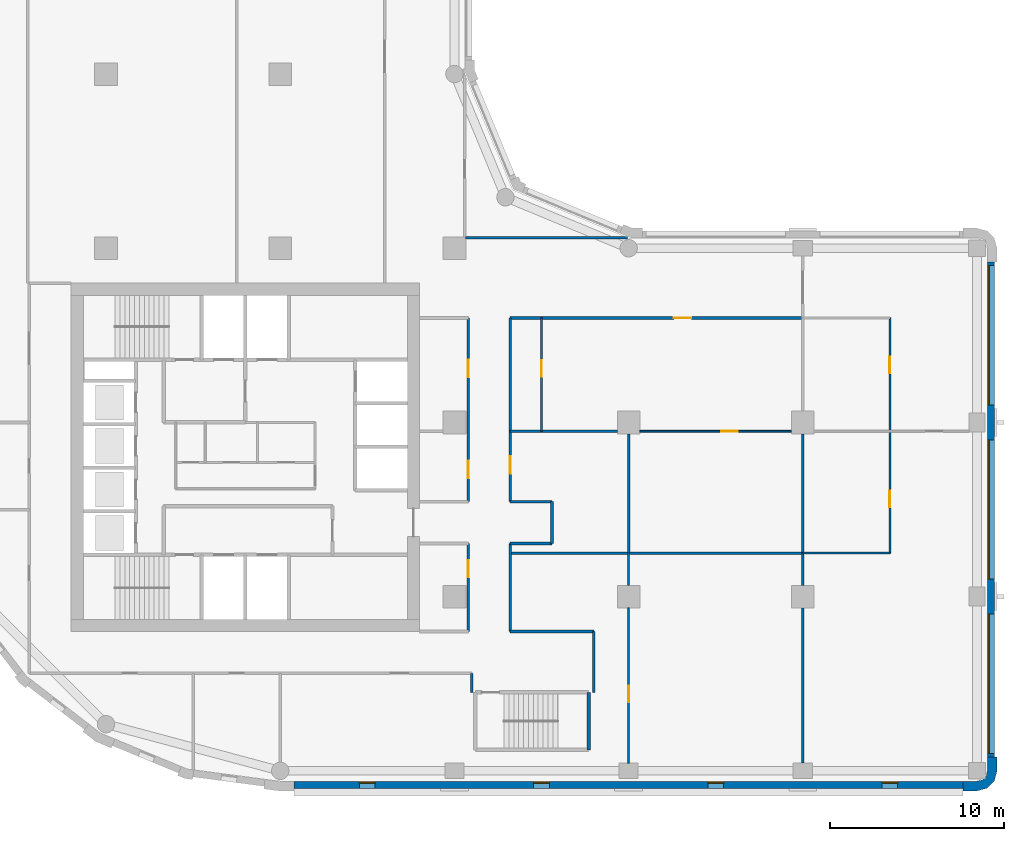
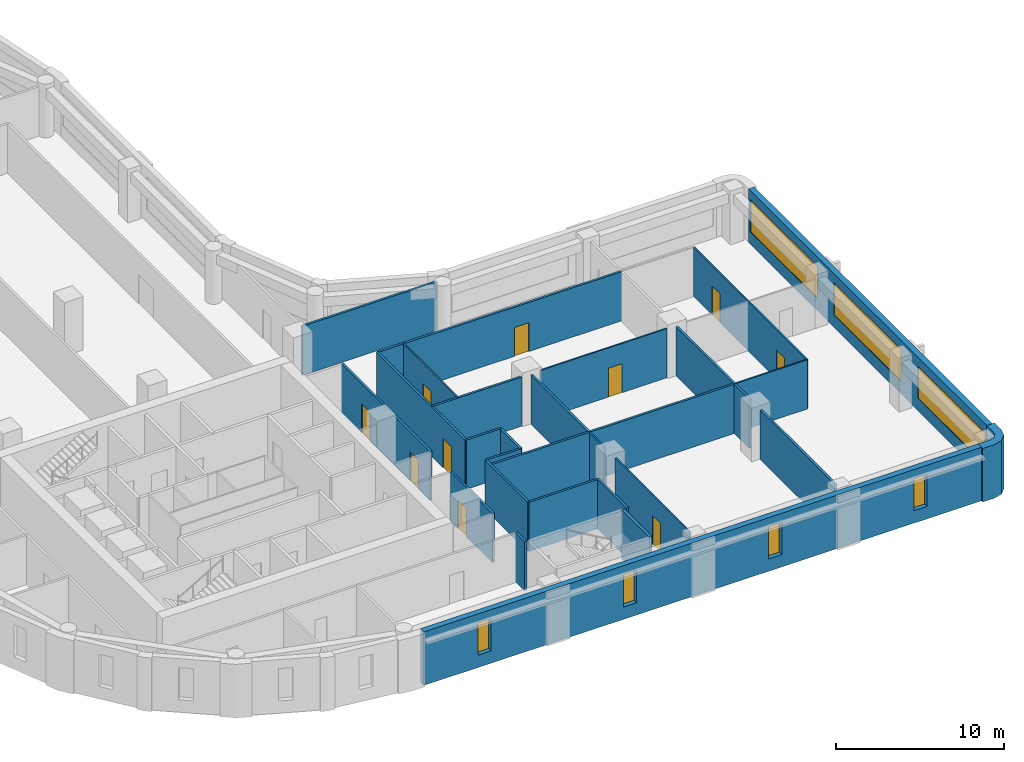
# One storey, part 4 of 9: 27 walls, 10 doors, 7 windows, 17 openings.
"""IFC4 building model written with IfcOpenShell, lengths in metres."""

import ifcopenshell
import ifcopenshell.guid

model = None  # the IFC model being written
_history = None  # IfcOwnerHistory: only IFC2X3 demands one
_inside = {}  # id of a spatial element -> (the spatial element, [elements in it])
_under = {}  # id of a project, library or spatial element -> (it, [spatial elements below it])
_declared = {}  # id of a project -> (the project, [libraries it declares])
_typed = {}  # id of a type object -> (the type object, [elements of that type])
_made_of = {}  # id of a material, layer set ... -> (it, [elements and type objects made of it])


def new_model(schema):
    """Start an empty IFC model of exactly this schema.

    Asked for "IFC4X3", IfcOpenShell would pick the latest addendum, in which some entities
    have other attributes; the version numbers below select the first issue.
    IFC2X3 requires an IfcOwnerHistory on every rooted entity: one is made here for all.
    """
    global model, _history
    if schema == "IFC4X3":
        model = ifcopenshell.file(schema_version=(4, 3, 0, 0))
    else:
        model = ifcopenshell.file(schema=schema)
    _inside.clear()
    _under.clear()
    _declared.clear()
    _typed.clear()
    _made_of.clear()
    _history = None
    if model.schema == "IFC2X3":
        org = make("IfcOrganization", Name="unknown")
        user = make(
            "IfcPersonAndOrganization",
            ThePerson=make("IfcPerson", FamilyName="unknown"),
            TheOrganization=org,
        )
        app = make(
            "IfcApplication",
            ApplicationDeveloper=org,
            Version="unknown",
            ApplicationFullName="unknown",
            ApplicationIdentifier="unknown",
        )
        _history = make(
            "IfcOwnerHistory",
            OwningUser=user,
            OwningApplication=app,
            ChangeAction="ADDED",
            CreationDate=0,
        )
    return model


def make(cls, **values):
    """One entity of the class cls with the attributes given. An attribute that is None is left unset."""
    return model.create_entity(
        cls, **{name: value for name, value in values.items() if value is not None}
    )


def rooted(cls, **values):
    """An entity with a GlobalId (a new one), such as an element, a storey or a relation."""
    return make(cls, GlobalId=ifcopenshell.guid.new(), OwnerHistory=_history, **values)


def si_unit(unit_type, name, prefix=None):
    """IfcSIUnit, for example si_unit("LENGTHUNIT", "METRE", prefix="MILLI")."""
    return make("IfcSIUnit", UnitType=unit_type, Prefix=prefix, Name=name)


def assignment(units):
    """IfcUnitAssignment: the units of a project."""
    return None if units is None else make("IfcUnitAssignment", Units=units)


def point(xyz):
    """IfcCartesianPoint."""
    return None if xyz is None else make("IfcCartesianPoint", Coordinates=xyz)


def direction(xyz):
    """IfcDirection."""
    return None if xyz is None else make("IfcDirection", DirectionRatios=xyz)


def frame(location, z_axis=None, x_axis=None):
    """IfcAxis2Placement3D, a coordinate frame: its origin and axes. An axis left out is left unset."""
    return make(
        "IfcAxis2Placement3D",
        Location=point(location),
        Axis=direction(z_axis),
        RefDirection=direction(x_axis),
    )


def frame_2d(location, x_axis=None):
    """IfcAxis2Placement2D, a coordinate frame in the plane: its origin and x axis."""
    return make(
        "IfcAxis2Placement2D", Location=point(location), RefDirection=direction(x_axis)
    )


def origin():
    """The frame at (0, 0, 0) with its axes left unset."""
    return frame((0.0, 0.0, 0.0))


def place(relative_to, where):
    """IfcLocalPlacement: puts the frame where relative to a parent placement (None: the world)."""
    return make(
        "IfcLocalPlacement", PlacementRelTo=relative_to, RelativePlacement=where
    )


def context(
    kind, dimensions, precision=None, world=None, true_north=None, identifier=None
):
    """IfcGeometricRepresentationContext, for example the 3D "Model" context."""
    return make(
        "IfcGeometricRepresentationContext",
        ContextIdentifier=identifier,
        ContextType=kind,
        CoordinateSpaceDimension=dimensions,
        Precision=precision,
        WorldCoordinateSystem=world,
        TrueNorth=true_north,
    )


def subcontext(parent, identifier, kind, view, scale=None):
    """IfcGeometricRepresentationSubContext, for example "Body" below "Model"."""
    return make(
        "IfcGeometricRepresentationSubContext",
        ContextIdentifier=identifier,
        ContextType=kind,
        ParentContext=parent,
        TargetScale=scale,
        TargetView=view,
    )


def project(units=None, contexts=None):
    """IfcProject with its units and contexts."""
    return rooted(
        "IfcProject",
        Name="project",
        RepresentationContexts=contexts,
        UnitsInContext=assignment(units),
    )


def spatial(cls, under=None, at=None, **own):
    """A site, building, storey or space (cls), placed at a placement, below another one or the project."""
    s = rooted(cls, ObjectPlacement=at, **own)
    if under is not None:
        _under.setdefault(under.id(), (under, []))[1].append(s)
    return s


def polyline(points):
    """IfcPolyline through the points."""
    return make("IfcPolyline", Points=[point(p) for p in points])


def profile(cls, at=None, kind="AREA", **sizes):
    """A parametric profile (cls). Its sizes go by their IFC names, for example OverallWidth=200.0."""
    return make(cls, ProfileType=kind, Position=at, **sizes)


def rectangle(**sizes):
    """IfcRectangleProfileDef."""
    return profile("IfcRectangleProfileDef", **sizes)


def outline(outer, holes=None, kind="AREA"):
    """IfcArbitraryClosedProfileDef: a profile drawn as a closed curve; with holes, ...WithVoids."""
    if holes is None:
        return make("IfcArbitraryClosedProfileDef", ProfileType=kind, OuterCurve=outer)
    return make(
        "IfcArbitraryProfileDefWithVoids",
        ProfileType=kind,
        OuterCurve=outer,
        InnerCurves=holes,
    )


def extrude(swept, where, along, depth):
    """IfcExtrudedAreaSolid: the profile swept, set in the frame where, extruded along a direction by depth."""
    return make(
        "IfcExtrudedAreaSolid",
        SweptArea=swept,
        Position=where,
        ExtrudedDirection=direction(along),
        Depth=depth,
    )


def shape(context_of_items, identifier, shape_type, items):
    """IfcShapeRepresentation: the items that make up one representation, for example the "Body"."""
    return make(
        "IfcShapeRepresentation",
        ContextOfItems=context_of_items,
        RepresentationIdentifier=identifier,
        RepresentationType=shape_type,
        Items=items,
    )


def material(Name=None, Category=None):
    """IfcMaterial."""
    return make("IfcMaterial", Name=Name, Category=Category)


def layer(
    of_material, thickness, ventilated=None, Name=None, Category=None, Priority=None
):
    """IfcMaterialLayer: one layer of a wall or slab, of a material (None: an air gap)."""
    return make(
        "IfcMaterialLayer",
        Material=of_material,
        LayerThickness=thickness,
        IsVentilated=ventilated,
        Name=Name,
        Category=Category,
        Priority=Priority,
    )


def layer_set(layers, Name=None):
    """IfcMaterialLayerSet."""
    return make("IfcMaterialLayerSet", MaterialLayers=layers, LayerSetName=Name)


def made_of(thing, what):
    """Note that an element or type object is made of a material, layer set ...; save() writes the relation."""
    if what is not None:
        _made_of.setdefault(what.id(), (what, []))[1].append(thing)
    return thing


def type_object(cls, material=None, **own):
    """A type object (cls), such as IfcWallType, which elements share."""
    return made_of(rooted(cls, **own), material)


def element(
    cls,
    number,
    at=None,
    inside=None,
    cuts=None,
    type_object=None,
    material=None,
    context=None,
    identifier="Body",
    shape_type=None,
    held_by="IfcProductDefinitionShape",
    body=None,
    shapes=None,
    **own,
):
    """One element of the class cls, such as IfcWall. Its Tag is "e" and its number.

    at: its placement. inside: the storey or other place that contains it. cuts: it is an
    opening in that element (IfcRelVoidsElement). A single representation is given by context,
    identifier, shape_type and body (its items); several are given by shapes. held_by: the class
    of the entity that holds the representations. save() writes the other relations.
    """
    e = rooted(cls, Tag="e%d" % number, ObjectPlacement=at, **own)
    if body is not None:
        shapes = [shape(context, identifier, shape_type, body)]
    if shapes is not None:
        e.Representation = make(held_by, Representations=shapes)
    if inside is not None:
        _inside.setdefault(inside.id(), (inside, []))[1].append(e)
    if cuts is not None:
        rooted(
            "IfcRelVoidsElement", RelatingBuildingElement=cuts, RelatedOpeningElement=e
        )
    if type_object is not None:
        _typed.setdefault(type_object.id(), (type_object, []))[1].append(e)
    return made_of(e, material)


def fill(opening, filler):
    """IfcRelFillsElement: the door or window that sits in an opening."""
    return rooted(
        "IfcRelFillsElement",
        RelatingOpeningElement=opening,
        RelatedBuildingElement=filler,
    )


def aggregate(whole, parts):
    """IfcRelAggregates: a whole, such as a stair, and the parts it consists of."""
    return rooted("IfcRelAggregates", RelatingObject=whole, RelatedObjects=parts)


def save(model, path):
    """Write the relations noted so far, then the file.

    IfcRelAggregates (storeys below a building ...), IfcRelContainedInSpatialStructure (elements
    in a storey), IfcRelDefinesByType, IfcRelAssociatesMaterial and IfcRelDeclares: one each for
    every whole, place, type object, material and project.
    """
    for whole, parts in _under.values():
        aggregate(whole, parts)
    for where, things in _inside.values():
        rooted(
            "IfcRelContainedInSpatialStructure",
            RelatedElements=things,
            RelatingStructure=where,
        )
    for kind, things in _typed.values():
        rooted("IfcRelDefinesByType", RelatedObjects=things, RelatingType=kind)
    for what, things in _made_of.values():
        rooted("IfcRelAssociatesMaterial", RelatedObjects=things, RelatingMaterial=what)
    for by, libraries in _declared.values():
        rooted("IfcRelDeclares", RelatingContext=by, RelatedDefinitions=libraries)
    model.write(path)


model = new_model("IFC4")

# Units and contexts
model_context = context("Model", 3, precision=1e-05, world=origin(), true_north=direction((0.0, 1.0)))
body_context = subcontext(model_context, "Body", "Model", "MODEL_VIEW")
ifc_project = project(units=[si_unit("LENGTHUNIT", "METRE"), si_unit("AREAUNIT", "SQUARE_METRE"), si_unit("VOLUMEUNIT", "CUBIC_METRE"), si_unit("PLANEANGLEUNIT", "RADIAN"), si_unit("MASSUNIT", "GRAM", prefix="KILO")], contexts=[model_context])

# Site, building, storey
site_placement = place(None, origin())
site = spatial("IfcSite", under=ifc_project, at=site_placement, CompositionType="ELEMENT")
building_placement = place(site_placement, origin())
building = spatial("IfcBuilding", under=site, at=building_placement, Name="Qaws Garden Tower", CompositionType="ELEMENT")
storey_placement = place(building_placement, frame((0.0, 0.0, 225.300048828125)))
storey = spatial("IfcBuildingStorey", under=building, at=storey_placement, Name="L55", CompositionType="ELEMENT", Elevation=225.300048828125)

# Wall
ifc_material_1 = material(Name="Clay facing brick masonry", Category="masonry")
ifc_layer_1 = layer(ifc_material_1, 0.550048828125)
ifc_layer_set_1 = layer_set([ifc_layer_1], Name="Clay facing brick masonry")
wall_type_1 = type_object("IfcWallType", Name="Brick corner pier 550 x 2400", PredefinedType="SOLIDWALL", material=ifc_layer_set_1)
wall_1_placement = place(storey_placement, origin())
element("IfcWall", 1, at=wall_1_placement, inside=storey, type_object=wall_type_1, Name="E-L55-pier-04", PredefinedType="SOLIDWALL", context=body_context, shape_type="SweptSolid", body=[
    extrude(outline(polyline([(59.199951171875, -1.0), (59.199951171875, -1.14990234375), (60.0, -1.14990234375), (60.574951171875, -0.995849609375), (60.995849609375, -0.574951171875), (61.14990234375, 0.0), (61.14990234375, 0.800048828125), (61.0, 0.800048828125), (60.60009765625, 0.800048828125), (60.60009765625, 0.0), (60.51953125, -0.300048828125), (60.300048828125, -0.51953125), (60.0, -0.60009765625), (59.199951171875, -0.60009765625), (59.199951171875, -1.0)])), origin(), (0.0, 0.0, 1.0), 3.89990234375),
])

# Wall, openings, windows
ifc_material_2 = material(Name="Clay facing brick masonry", Category="masonry")
ifc_layer_2 = layer(ifc_material_2, 0.39990234375)
ifc_layer_set_2 = layer_set([ifc_layer_2], Name="Clay facing brick masonry")
wall_type_2 = type_object("IfcWallType", Name="Brick infill wall 400", PredefinedType="SOLIDWALL", material=ifc_layer_set_2)
wall_2_placement = place(storey_placement, frame((20.800048828125, -0.800048828125, 0.0), z_axis=(0.0, 0.0, 1.0), x_axis=(1.0, 0.0, 0.0)))
wall_2 = element("IfcWall", 2, at=wall_2_placement, inside=storey, type_object=wall_type_2, Name="E-L55-infill-00", PredefinedType="SOLIDWALL", context=body_context, shape_type="SweptSolid", body=[
    extrude(rectangle(XDim=38.39990234375, YDim=0.39990234375, at=frame_2d((19.199951171875, 0.0))), origin(), (0.0, 0.0, 1.0), 3.89990234375),
])
opening_1_placement = place(wall_2_placement, frame((3.75, 0.0, 0.89990234375)))
opening_1 = element("IfcOpeningElement", 3, at=opening_1_placement, cuts=wall_2, Name="Opening W09", PredefinedType="OPENING", context=body_context, shape_type="SweptSolid", body=[
    extrude(rectangle(XDim=0.89990234375, YDim=2.35009765625, at=frame_2d((0.449951171875, 1.175048828125))), frame((0.0, 0.2099609375, 0.0), z_axis=(0.0, -1.0, 0.0), x_axis=(1.0, 0.0, 0.0)), (0.0, 0.0, 1.0), 0.419921875),
])
opening_2_placement = place(wall_2_placement, frame((13.75, 0.0, 0.89990234375)))
opening_2 = element("IfcOpeningElement", 4, at=opening_2_placement, cuts=wall_2, Name="Opening W09", PredefinedType="OPENING", context=body_context, shape_type="SweptSolid", body=[
    extrude(rectangle(XDim=0.89990234375, YDim=2.35009765625, at=frame_2d((0.449951171875, 1.175048828125))), frame((0.0, 0.2099609375, 0.0), z_axis=(0.0, -1.0, 0.0), x_axis=(1.0, 0.0, 0.0)), (0.0, 0.0, 1.0), 0.419921875),
])
opening_3_placement = place(wall_2_placement, frame((23.75, 0.0, 0.89990234375)))
opening_3 = element("IfcOpeningElement", 5, at=opening_3_placement, cuts=wall_2, Name="Opening W09", PredefinedType="OPENING", context=body_context, shape_type="SweptSolid", body=[
    extrude(rectangle(XDim=0.89990234375, YDim=2.35009765625, at=frame_2d((0.449951171875, 1.175048828125))), frame((0.0, 0.2099609375, 0.0), z_axis=(0.0, -1.0, 0.0), x_axis=(1.0, 0.0, 0.0)), (0.0, 0.0, 1.0), 0.419921875),
])
opening_4_placement = place(wall_2_placement, frame((33.75, 0.0, 0.89990234375)))
opening_4 = element("IfcOpeningElement", 6, at=opening_4_placement, cuts=wall_2, Name="Opening W09", PredefinedType="OPENING", context=body_context, shape_type="SweptSolid", body=[
    extrude(rectangle(XDim=0.89990234375, YDim=2.35009765625, at=frame_2d((0.449951171875, 1.175048828125))), frame((0.0, 0.2099609375, 0.0), z_axis=(0.0, -1.0, 0.0), x_axis=(1.0, 0.0, 0.0)), (0.0, 0.0, 1.0), 0.419921875),
])
ifc_material_3 = material(Name="Aluminium framed window, clear glazing", Category="aluminium")
window_type_1 = type_object("IfcWindowType", Name="Slit window 900 x 2350", PartitioningType="SINGLE_PANEL", PredefinedType="WINDOW", material=ifc_material_3)
window_1_placement = place(opening_1_placement, origin())
window_1 = element("IfcWindow", 7, at=window_1_placement, inside=storey, type_object=window_type_1, Name="E-L55-window-00-0", OverallHeight=2.35009765625, OverallWidth=0.89990234375, PartitioningType="SINGLE_PANEL", PredefinedType="WINDOW", context=body_context, shape_type="SweptSolid", body=[
    extrude(rectangle(XDim=0.89990234375, YDim=2.35009765625, at=frame_2d((0.449951171875, 1.175048828125))), frame((0.0, 0.159912109375, 0.0), z_axis=(0.0, -1.0, 0.0), x_axis=(1.0, 0.0, 0.0)), (0.0, 0.0, 1.0), 0.06005859375),
])
fill(opening_1, window_1)
window_2_placement = place(opening_2_placement, origin())
window_2 = element("IfcWindow", 8, at=window_2_placement, inside=storey, type_object=window_type_1, Name="E-L55-window-01-0", OverallHeight=2.35009765625, OverallWidth=0.89990234375, PartitioningType="SINGLE_PANEL", PredefinedType="WINDOW", context=body_context, shape_type="SweptSolid", body=[
    extrude(rectangle(XDim=0.89990234375, YDim=2.35009765625, at=frame_2d((0.449951171875, 1.175048828125))), frame((0.0, 0.159912109375, 0.0), z_axis=(0.0, -1.0, 0.0), x_axis=(1.0, 0.0, 0.0)), (0.0, 0.0, 1.0), 0.06005859375),
])
fill(opening_2, window_2)
window_3_placement = place(opening_3_placement, origin())
window_3 = element("IfcWindow", 9, at=window_3_placement, inside=storey, type_object=window_type_1, Name="E-L55-window-02-0", OverallHeight=2.35009765625, OverallWidth=0.89990234375, PartitioningType="SINGLE_PANEL", PredefinedType="WINDOW", context=body_context, shape_type="SweptSolid", body=[
    extrude(rectangle(XDim=0.89990234375, YDim=2.35009765625, at=frame_2d((0.449951171875, 1.175048828125))), frame((0.0, 0.159912109375, 0.0), z_axis=(0.0, -1.0, 0.0), x_axis=(1.0, 0.0, 0.0)), (0.0, 0.0, 1.0), 0.06005859375),
])
fill(opening_3, window_3)
window_4_placement = place(opening_4_placement, origin())
window_4 = element("IfcWindow", 10, at=window_4_placement, inside=storey, type_object=window_type_1, Name="E-L55-window-03-0", OverallHeight=2.35009765625, OverallWidth=0.89990234375, PartitioningType="SINGLE_PANEL", PredefinedType="WINDOW", context=body_context, shape_type="SweptSolid", body=[
    extrude(rectangle(XDim=0.89990234375, YDim=2.35009765625, at=frame_2d((0.449951171875, 1.175048828125))), frame((0.0, 0.159912109375, 0.0), z_axis=(0.0, -1.0, 0.0), x_axis=(1.0, 0.0, 0.0)), (0.0, 0.0, 1.0), 0.06005859375),
])
fill(opening_4, window_4)

wall_3_placement = place(storey_placement, frame((60.800048828125, 0.800048828125, 0.0), z_axis=(0.0, 0.0, 1.0), x_axis=(0.0, 1.0, 0.0)))
wall_3 = element("IfcWall", 11, at=wall_3_placement, inside=storey, type_object=wall_type_2, Name="E-L55-infill-04", PredefinedType="SOLIDWALL", context=body_context, shape_type="SweptSolid", body=[
    extrude(rectangle(XDim=28.39990234375, YDim=0.39990234375, at=frame_2d((14.199951171875, 0.0))), origin(), (0.0, 0.0, 1.0), 3.89990234375),
])
opening_5_placement = place(wall_3_placement, frame((0.199951171875, 0.0, 0.89990234375)))
opening_5 = element("IfcOpeningElement", 12, at=opening_5_placement, cuts=wall_3, Name="Opening W01", PredefinedType="OPENING", context=body_context, shape_type="SweptSolid", body=[
    extrude(rectangle(XDim=8.0, YDim=2.35009765625, at=frame_2d((4.0, 1.175048828125))), frame((0.0, 0.2099609375, 0.0), z_axis=(0.0, -1.0, 0.0), x_axis=(1.0, 0.0, 0.0)), (0.0, 0.0, 1.0), 0.419921875),
])
opening_6_placement = place(wall_3_placement, frame((10.199951171875, 0.0, 0.89990234375)))
opening_6 = element("IfcOpeningElement", 13, at=opening_6_placement, cuts=wall_3, Name="Opening W01", PredefinedType="OPENING", context=body_context, shape_type="SweptSolid", body=[
    extrude(rectangle(XDim=8.0, YDim=2.35009765625, at=frame_2d((4.0, 1.175048828125))), frame((0.0, 0.2099609375, 0.0), z_axis=(0.0, -1.0, 0.0), x_axis=(1.0, 0.0, 0.0)), (0.0, 0.0, 1.0), 0.419921875),
])
opening_7_placement = place(wall_3_placement, frame((20.199951171875, 0.0, 0.89990234375)))
opening_7 = element("IfcOpeningElement", 14, at=opening_7_placement, cuts=wall_3, Name="Opening W01", PredefinedType="OPENING", context=body_context, shape_type="SweptSolid", body=[
    extrude(rectangle(XDim=8.0, YDim=2.35009765625, at=frame_2d((4.0, 1.175048828125))), frame((0.0, 0.2099609375, 0.0), z_axis=(0.0, -1.0, 0.0), x_axis=(1.0, 0.0, 0.0)), (0.0, 0.0, 1.0), 0.419921875),
])
ifc_material_4 = material(Name="Aluminium framed window, clear glazing", Category="aluminium")
window_type_2 = type_object("IfcWindowType", Name="Ribbon window 8000 x 2350", PartitioningType="DOUBLE_PANEL_VERTICAL", PredefinedType="WINDOW", material=ifc_material_4)
window_5_placement = place(opening_5_placement, origin())
window_5 = element("IfcWindow", 15, at=window_5_placement, inside=storey, type_object=window_type_2, Name="E-L55-window-04-0", OverallHeight=2.35009765625, OverallWidth=8.0, PartitioningType="SINGLE_PANEL", PredefinedType="WINDOW", context=body_context, shape_type="SweptSolid", body=[
    extrude(rectangle(XDim=8.0, YDim=2.35009765625, at=frame_2d((4.0, 1.175048828125))), frame((0.0, 0.159912109375, 0.0), z_axis=(0.0, -1.0, 0.0), x_axis=(1.0, 0.0, 0.0)), (0.0, 0.0, 1.0), 0.06005859375),
])
fill(opening_5, window_5)
window_6_placement = place(opening_6_placement, origin())
window_6 = element("IfcWindow", 16, at=window_6_placement, inside=storey, type_object=window_type_2, Name="E-L55-window-05-0", OverallHeight=2.35009765625, OverallWidth=8.0, PartitioningType="SINGLE_PANEL", PredefinedType="WINDOW", context=body_context, shape_type="SweptSolid", body=[
    extrude(rectangle(XDim=8.0, YDim=2.35009765625, at=frame_2d((4.0, 1.175048828125))), frame((0.0, 0.159912109375, 0.0), z_axis=(0.0, -1.0, 0.0), x_axis=(1.0, 0.0, 0.0)), (0.0, 0.0, 1.0), 0.06005859375),
])
fill(opening_6, window_6)
window_7_placement = place(opening_7_placement, origin())
window_7 = element("IfcWindow", 17, at=window_7_placement, inside=storey, type_object=window_type_2, Name="E-L55-window-06-0", OverallHeight=2.35009765625, OverallWidth=8.0, PartitioningType="SINGLE_PANEL", PredefinedType="WINDOW", context=body_context, shape_type="SweptSolid", body=[
    extrude(rectangle(XDim=8.0, YDim=2.35009765625, at=frame_2d((4.0, 1.175048828125))), frame((0.0, 0.159912109375, 0.0), z_axis=(0.0, -1.0, 0.0), x_axis=(1.0, 0.0, 0.0)), (0.0, 0.0, 1.0), 0.06005859375),
])
fill(opening_7, window_7)

# Wall
ifc_material_5 = material(Name="Concrete C70", Category="concrete")
ifc_layer_3 = layer(ifc_material_5, 0.199951171875)
ifc_layer_set_3 = layer_set([ifc_layer_3], Name="Concrete C70")
wall_type_3 = type_object("IfcWallType", Name="Core shaft wall 200 C70", PredefinedType="SHEAR", material=ifc_layer_set_3)
wall_4_placement = place(storey_placement, frame((37.699951171875, 1.199951171875, 0.0), z_axis=(0.0, 0.0, 1.0), x_axis=(0.0, 1.0, 0.0)))
element("IfcWall", 18, at=wall_4_placement, inside=storey, type_object=wall_type_3, Name="Shaft wall", PredefinedType="SHEAR", context=body_context, shape_type="SweptSolid", body=[
    extrude(rectangle(XDim=3.300048828125, YDim=0.199951171875, at=frame_2d((1.64990234375, 0.0))), origin(), (0.0, 0.0, 1.0), 3.579833984375),
])

# Wall, opening, door
ifc_material_6 = material(Name="Gypsum board partition")
ifc_layer_4 = layer(ifc_material_6, 0.10009765625)
ifc_layer_set_4 = layer_set([ifc_layer_4], Name="Gypsum board partition")
wall_type_4 = type_object("IfcWallType", Name="PARTITION 100", PredefinedType="PARTITIONING", material=ifc_layer_set_4)
wall_5_placement = place(storey_placement, frame((35.0, 19.5, 0.0), z_axis=(0.0, 0.0, 1.0), x_axis=(0.0, 1.0, 0.0)))
wall_5 = element("IfcWall", 19, at=wall_5_placement, inside=storey, type_object=wall_type_4, Name="O-L55-wall-001", PredefinedType="PARTITIONING", context=body_context, shape_type="SweptSolid", body=[
    extrude(rectangle(XDim=6.5, YDim=0.10009765625, at=frame_2d((3.25, 0.0))), origin(), (0.0, 0.0, 1.0), 3.579833984375),
])
opening_8_placement = place(wall_5_placement, frame((3.125, 0.0, 0.0)))
opening_8 = element("IfcOpeningElement", 20, at=opening_8_placement, cuts=wall_5, Name="Opening B921", PredefinedType="OPENING", context=body_context, shape_type="SweptSolid", body=[
    extrude(rectangle(XDim=0.949951171875, YDim=2.10009765625, at=frame_2d((0.47509765625, 1.050048828125))), frame((0.0, 0.06005859375, 0.0), z_axis=(0.0, -1.0, 0.0), x_axis=(1.0, 0.0, 0.0)), (0.0, 0.0, 1.0), 0.1201171875),
])
ifc_material_7 = material(Name="Timber and glass door leaf", Category="wood")
door_type_1 = type_object("IfcDoorType", Name="GLAZED DOOR 950 X 2100", OperationType="SINGLE_SWING_LEFT", PredefinedType="DOOR", material=ifc_material_7)
door_1_placement = place(opening_8_placement, origin())
door_1 = element("IfcDoor", 21, at=door_1_placement, inside=storey, type_object=door_type_1, Name="O-L55-door-021", OperationType="SINGLE_SWING_RIGHT", OverallHeight=2.10009765625, OverallWidth=0.949951171875, PredefinedType="DOOR", context=body_context, shape_type="SweptSolid", body=[
    extrude(rectangle(XDim=0.949951171875, YDim=2.10009765625, at=frame_2d((0.47509765625, 1.050048828125))), frame((0.0, 0.02490234375, 0.0), z_axis=(0.0, -1.0, 0.0), x_axis=(1.0, 0.0, 0.0)), (0.0, 0.0, 1.0), 0.050048828125),
])
fill(opening_8, door_1)

wall_6_placement = place(storey_placement, frame((40.0, 0.449951171875, 0.0), z_axis=(0.0, 0.0, 1.0), x_axis=(0.0, 1.0, 0.0)))
wall_6 = element("IfcWall", 22, at=wall_6_placement, inside=storey, type_object=wall_type_4, Name="O-L55-wall-002", PredefinedType="PARTITIONING", context=body_context, shape_type="SweptSolid", body=[
    extrude(rectangle(XDim=8.900146484375, YDim=0.10009765625, at=frame_2d((4.4501953125, 0.0))), origin(), (0.0, 0.0, 1.0), 3.579833984375),
])
opening_9_placement = place(wall_6_placement, frame((3.47509765625, 0.0, 0.0)))
opening_9 = element("IfcOpeningElement", 23, at=opening_9_placement, cuts=wall_6, Name="Opening B919", PredefinedType="OPENING", context=body_context, shape_type="SweptSolid", body=[
    extrude(rectangle(XDim=0.949951171875, YDim=2.10009765625, at=frame_2d((0.47509765625, 1.050048828125))), frame((0.0, 0.06005859375, 0.0), z_axis=(0.0, -1.0, 0.0), x_axis=(1.0, 0.0, 0.0)), (0.0, 0.0, 1.0), 0.1201171875),
])
door_2_placement = place(opening_9_placement, origin())
door_2 = element("IfcDoor", 24, at=door_2_placement, inside=storey, type_object=door_type_1, Name="O-L55-door-019", OperationType="SINGLE_SWING_RIGHT", OverallHeight=2.10009765625, OverallWidth=0.949951171875, PredefinedType="DOOR", context=body_context, shape_type="SweptSolid", body=[
    extrude(rectangle(XDim=0.949951171875, YDim=2.10009765625, at=frame_2d((0.47509765625, 1.050048828125))), frame((0.0, 0.02490234375, 0.0), z_axis=(0.0, -1.0, 0.0), x_axis=(1.0, 0.0, 0.0)), (0.0, 0.0, 1.0), 0.050048828125),
])
fill(opening_9, door_2)

# Wall
wall_7_placement = place(storey_placement, frame((40.0, 10.64990234375, 0.0), z_axis=(0.0, 0.0, 1.0), x_axis=(0.0, 1.0, 0.0)))
element("IfcWall", 25, at=wall_7_placement, inside=storey, type_object=wall_type_4, Name="O-L55-wall-003", PredefinedType="PARTITIONING", context=body_context, shape_type="SweptSolid", body=[
    extrude(rectangle(XDim=1.85009765625, YDim=0.10009765625, at=frame_2d((0.925048828125, 0.0))), origin(), (0.0, 0.0, 1.0), 3.579833984375),
])

# Wall, openings, doors
wall_8_placement = place(storey_placement, frame((55.0, 12.5, 0.0), z_axis=(0.0, 0.0, 1.0), x_axis=(0.0, 1.0, 0.0)))
wall_8 = element("IfcWall", 26, at=wall_8_placement, inside=storey, type_object=wall_type_4, Name="O-L55-wall-004", PredefinedType="PARTITIONING", context=body_context, shape_type="SweptSolid", body=[
    extrude(rectangle(XDim=13.5, YDim=0.10009765625, at=frame_2d((6.75, 0.0))), origin(), (0.0, 0.0, 1.0), 3.579833984375),
])
opening_10_placement = place(wall_8_placement, frame((10.324951171875, 0.0, 0.0)))
opening_10 = element("IfcOpeningElement", 27, at=opening_10_placement, cuts=wall_8, Name="Opening B922", PredefinedType="OPENING", context=body_context, shape_type="SweptSolid", body=[
    extrude(rectangle(XDim=0.949951171875, YDim=2.10009765625, at=frame_2d((0.47509765625, 1.050048828125))), frame((0.0, 0.06005859375, 0.0), z_axis=(0.0, -1.0, 0.0), x_axis=(1.0, 0.0, 0.0)), (0.0, 0.0, 1.0), 0.1201171875),
])
opening_11_placement = place(wall_8_placement, frame((2.625, 0.0, 0.0)))
opening_11 = element("IfcOpeningElement", 28, at=opening_11_placement, cuts=wall_8, Name="Opening B923", PredefinedType="OPENING", context=body_context, shape_type="SweptSolid", body=[
    extrude(rectangle(XDim=0.949951171875, YDim=2.10009765625, at=frame_2d((0.47509765625, 1.050048828125))), frame((0.0, 0.06005859375, 0.0), z_axis=(0.0, -1.0, 0.0), x_axis=(1.0, 0.0, 0.0)), (0.0, 0.0, 1.0), 0.1201171875),
])
door_3_placement = place(opening_10_placement, origin())
door_3 = element("IfcDoor", 29, at=door_3_placement, inside=storey, type_object=door_type_1, Name="O-L55-door-022", OperationType="SINGLE_SWING_RIGHT", OverallHeight=2.10009765625, OverallWidth=0.949951171875, PredefinedType="DOOR", context=body_context, shape_type="SweptSolid", body=[
    extrude(rectangle(XDim=0.949951171875, YDim=2.10009765625, at=frame_2d((0.47509765625, 1.050048828125))), frame((0.0, 0.02490234375, 0.0), z_axis=(0.0, -1.0, 0.0), x_axis=(1.0, 0.0, 0.0)), (0.0, 0.0, 1.0), 0.050048828125),
])
fill(opening_10, door_3)
door_4_placement = place(opening_11_placement, origin())
door_4 = element("IfcDoor", 30, at=door_4_placement, inside=storey, type_object=door_type_1, Name="O-L55-door-023", OperationType="SINGLE_SWING_RIGHT", OverallHeight=2.10009765625, OverallWidth=0.949951171875, PredefinedType="DOOR", context=body_context, shape_type="SweptSolid", body=[
    extrude(rectangle(XDim=0.949951171875, YDim=2.10009765625, at=frame_2d((0.47509765625, 1.050048828125))), frame((0.0, 0.02490234375, 0.0), z_axis=(0.0, -1.0, 0.0), x_axis=(1.0, 0.0, 0.0)), (0.0, 0.0, 1.0), 0.050048828125),
])
fill(opening_11, door_4)

# Wall
wall_9_placement = place(storey_placement, frame((50.0, 12.5, 0.0), z_axis=(0.0, 0.0, 1.0), x_axis=(1.0, 0.0, 0.0)))
element("IfcWall", 31, at=wall_9_placement, inside=storey, type_object=wall_type_4, Name="O-L55-wall-005", PredefinedType="PARTITIONING", context=body_context, shape_type="SweptSolid", body=[
    extrude(rectangle(XDim=5.0, YDim=0.10009765625, at=frame_2d((2.5, 0.0))), origin(), (0.0, 0.0, 1.0), 3.579833984375),
])

# Wall, opening, door
wall_10_placement = place(storey_placement, frame((40.64990234375, 19.5, 0.0), z_axis=(0.0, 0.0, 1.0), x_axis=(1.0, 0.0, 0.0)))
wall_10 = element("IfcWall", 32, at=wall_10_placement, inside=storey, type_object=wall_type_4, Name="O-L55-wall-006", PredefinedType="PARTITIONING", context=body_context, shape_type="SweptSolid", body=[
    extrude(rectangle(XDim=8.7001953125, YDim=0.10009765625, at=frame_2d((4.35009765625, 0.0))), origin(), (0.0, 0.0, 1.0), 3.579833984375),
])
opening_12_placement = place(wall_10_placement, frame((4.675048828125, 0.0, 0.0)))
opening_12 = element("IfcOpeningElement", 33, at=opening_12_placement, cuts=wall_10, Name="Opening B918", PredefinedType="OPENING", context=body_context, shape_type="SweptSolid", body=[
    extrude(rectangle(XDim=0.949951171875, YDim=2.10009765625, at=frame_2d((0.47509765625, 1.050048828125))), frame((0.0, 0.06005859375, 0.0), z_axis=(0.0, -1.0, 0.0), x_axis=(1.0, 0.0, 0.0)), (0.0, 0.0, 1.0), 0.1201171875),
])
door_5_placement = place(opening_12_placement, frame((0.949951171875, 0.0, 0.0), z_axis=(0.0, 0.0, 1.0), x_axis=(-1.0, 0.0, 0.0)))
door_5 = element("IfcDoor", 34, at=door_5_placement, inside=storey, type_object=door_type_1, Name="O-L55-door-018", OperationType="SINGLE_SWING_RIGHT", OverallHeight=2.10009765625, OverallWidth=0.949951171875, PredefinedType="DOOR", context=body_context, shape_type="SweptSolid", body=[
    extrude(rectangle(XDim=0.949951171875, YDim=2.10009765625, at=frame_2d((0.47509765625, 1.050048828125))), frame((0.0, 0.02490234375, 0.0), z_axis=(0.0, -1.0, 0.0), x_axis=(1.0, 0.0, 0.0)), (0.0, 0.0, 1.0), 0.050048828125),
])
fill(opening_12, door_5)

ifc_material_8 = material(Name="Gypsum board partition")
ifc_layer_5 = layer(ifc_material_8, 0.14990234375)
ifc_layer_set_5 = layer_set([ifc_layer_5], Name="Gypsum board partition")
wall_type_5 = type_object("IfcWallType", Name="PARTITION 150 EI 60", PredefinedType="PARTITIONING", material=ifc_layer_set_5)
wall_11_placement = place(storey_placement, frame((30.800048828125, 8.0009765625, 0.0), z_axis=(0.0, 0.0, 1.0), x_axis=(0.0, 1.0, 0.0)))
wall_11 = element("IfcWall", 35, at=wall_11_placement, inside=storey, type_object=wall_type_5, Name="O-L55-wall-019", PredefinedType="PARTITIONING", context=body_context, shape_type="SweptSolid", body=[
    extrude(rectangle(XDim=5.048095703125, YDim=0.14990234375, at=frame_2d((2.52392578125, 0.0))), origin(), (0.0, 0.0, 1.0), 3.579833984375),
])
opening_13_placement = place(wall_11_placement, frame((3.10009765625, 0.0, 0.0)))
opening_13 = element("IfcOpeningElement", 36, at=opening_13_placement, cuts=wall_11, Name="Opening B904", PredefinedType="OPENING", context=body_context, shape_type="SweptSolid", body=[
    extrude(rectangle(XDim=1.0, YDim=2.10009765625, at=frame_2d((0.5, 1.050048828125))), frame((0.0, 0.0849609375, 0.0), z_axis=(0.0, -1.0, 0.0), x_axis=(1.0, 0.0, 0.0)), (0.0, 0.0, 1.0), 0.169921875),
])
ifc_material_9 = material(Name="Timber door leaf", Category="wood")
door_type_2 = type_object("IfcDoorType", Name="TENANCY ENTRANCE DOOR 1000 X 2100", OperationType="SINGLE_SWING_LEFT", PredefinedType="DOOR", material=ifc_material_9)
door_6_placement = place(opening_13_placement, origin())
door_6 = element("IfcDoor", 37, at=door_6_placement, inside=storey, type_object=door_type_2, Name="O-L55-door-004", OperationType="SINGLE_SWING_RIGHT", OverallHeight=2.10009765625, OverallWidth=1.0, PredefinedType="DOOR", context=body_context, shape_type="SweptSolid", body=[
    extrude(rectangle(XDim=1.0, YDim=2.10009765625, at=frame_2d((0.5, 1.050048828125))), frame((0.0, 0.02490234375, 0.0), z_axis=(0.0, -1.0, 0.0), x_axis=(1.0, 0.0, 0.0)), (0.0, 0.0, 1.0), 0.050048828125),
])
fill(opening_13, door_6)

# Wall, openings, doors
wall_12_placement = place(storey_placement, frame((30.800048828125, 15.449951171875, 0.0), z_axis=(0.0, 0.0, 1.0), x_axis=(0.0, 1.0, 0.0)))
wall_12 = element("IfcWall", 38, at=wall_12_placement, inside=storey, type_object=wall_type_5, Name="O-L55-wall-020", PredefinedType="PARTITIONING", context=body_context, shape_type="SweptSolid", body=[
    extrude(rectangle(XDim=10.550048828125, YDim=0.14990234375, at=frame_2d((5.27490234375, 0.0))), origin(), (0.0, 0.0, 1.0), 3.579833984375),
])
opening_14_placement = place(wall_12_placement, frame((7.14990234375, 0.0, 0.0)))
opening_14 = element("IfcOpeningElement", 39, at=opening_14_placement, cuts=wall_12, Name="Opening B914", PredefinedType="OPENING", context=body_context, shape_type="SweptSolid", body=[
    extrude(rectangle(XDim=1.0, YDim=2.10009765625, at=frame_2d((0.5, 1.050048828125))), frame((0.0, 0.0849609375, 0.0), z_axis=(0.0, -1.0, 0.0), x_axis=(1.0, 0.0, 0.0)), (0.0, 0.0, 1.0), 0.169921875),
])
opening_15_placement = place(wall_12_placement, frame((1.35009765625, 0.0, 0.0)))
opening_15 = element("IfcOpeningElement", 40, at=opening_15_placement, cuts=wall_12, Name="Opening B917", PredefinedType="OPENING", context=body_context, shape_type="SweptSolid", body=[
    extrude(rectangle(XDim=1.0, YDim=2.10009765625, at=frame_2d((0.5, 1.050048828125))), frame((0.0, 0.0849609375, 0.0), z_axis=(0.0, -1.0, 0.0), x_axis=(1.0, 0.0, 0.0)), (0.0, 0.0, 1.0), 0.169921875),
])
door_7_placement = place(opening_14_placement, origin())
door_7 = element("IfcDoor", 41, at=door_7_placement, inside=storey, type_object=door_type_2, Name="O-L55-door-014", OperationType="SINGLE_SWING_RIGHT", OverallHeight=2.10009765625, OverallWidth=1.0, PredefinedType="DOOR", context=body_context, shape_type="SweptSolid", body=[
    extrude(rectangle(XDim=1.0, YDim=2.10009765625, at=frame_2d((0.5, 1.050048828125))), frame((0.0, 0.02490234375, 0.0), z_axis=(0.0, -1.0, 0.0), x_axis=(1.0, 0.0, 0.0)), (0.0, 0.0, 1.0), 0.050048828125),
])
fill(opening_14, door_7)
door_8_placement = place(opening_15_placement, origin())
door_8 = element("IfcDoor", 42, at=door_8_placement, inside=storey, type_object=door_type_2, Name="O-L55-door-017", OperationType="SINGLE_SWING_LEFT", OverallHeight=2.10009765625, OverallWidth=1.0, PredefinedType="DOOR", context=body_context, shape_type="SweptSolid", body=[
    extrude(rectangle(XDim=1.0, YDim=2.10009765625, at=frame_2d((0.5, 1.050048828125))), frame((0.0, 0.02490234375, 0.0), z_axis=(0.0, -1.0, 0.0), x_axis=(1.0, 0.0, 0.0)), (0.0, 0.0, 1.0), 0.050048828125),
])
fill(opening_15, door_8)

# Walls
wall_13_placement = place(storey_placement, frame((31.0, 4.5, 0.0), z_axis=(0.0, 0.0, 1.0), x_axis=(0.0, 1.0, 0.0)))
element("IfcWall", 43, at=wall_13_placement, inside=storey, type_object=wall_type_5, Name="O-L55-wall-021", PredefinedType="PARTITIONING", context=body_context, shape_type="SweptSolid", body=[
    extrude(rectangle(XDim=1.10009765625, YDim=0.14990234375, at=frame_2d((0.550048828125, 0.0))), origin(), (0.0, 0.0, 1.0), 3.579833984375),
])
wall_14_placement = place(storey_placement, frame((33.199951171875, 8.0, 0.0), z_axis=(0.0, 0.0, 1.0), x_axis=(0.0, 1.0, 0.0)))
element("IfcWall", 44, at=wall_14_placement, inside=storey, type_object=wall_type_5, Name="O-L55-wall-022", PredefinedType="PARTITIONING", context=body_context, shape_type="SweptSolid", body=[
    extrude(rectangle(XDim=5.050048828125, YDim=0.14990234375, at=frame_2d((2.52490234375, 0.0))), origin(), (0.0, 0.0, 1.0), 3.579833984375),
])

# Wall, opening, door
wall_15_placement = place(storey_placement, frame((33.199951171875, 15.449951171875, 0.0), z_axis=(0.0, 0.0, 1.0), x_axis=(0.0, 1.0, 0.0)))
wall_15 = element("IfcWall", 45, at=wall_15_placement, inside=storey, type_object=wall_type_5, Name="O-L55-wall-023", PredefinedType="PARTITIONING", context=body_context, shape_type="SweptSolid", body=[
    extrude(rectangle(XDim=10.550048828125, YDim=0.14990234375, at=frame_2d((5.27490234375, 0.0))), origin(), (0.0, 0.0, 1.0), 3.579833984375),
])
opening_16_placement = place(wall_15_placement, frame((1.60009765625, 0.0, 0.0)))
opening_16 = element("IfcOpeningElement", 46, at=opening_16_placement, cuts=wall_15, Name="Opening B916", PredefinedType="OPENING", context=body_context, shape_type="SweptSolid", body=[
    extrude(rectangle(XDim=1.0, YDim=2.10009765625, at=frame_2d((0.5, 1.050048828125))), frame((0.0, 0.0849609375, 0.0), z_axis=(0.0, -1.0, 0.0), x_axis=(1.0, 0.0, 0.0)), (0.0, 0.0, 1.0), 0.169921875),
])
door_9_placement = place(opening_16_placement, frame((1.0, 0.0, 0.0), z_axis=(0.0, 0.0, 1.0), x_axis=(-1.0, 0.0, 0.0)))
door_9 = element("IfcDoor", 47, at=door_9_placement, inside=storey, type_object=door_type_2, Name="O-L55-door-016", OperationType="SINGLE_SWING_LEFT", OverallHeight=2.10009765625, OverallWidth=1.0, PredefinedType="DOOR", context=body_context, shape_type="SweptSolid", body=[
    extrude(rectangle(XDim=1.0, YDim=2.10009765625, at=frame_2d((0.5, 1.050048828125))), frame((0.0, 0.02490234375, 0.0), z_axis=(0.0, -1.0, 0.0), x_axis=(1.0, 0.0, 0.0)), (0.0, 0.0, 1.0), 0.050048828125),
])
fill(opening_16, door_9)

# Walls
wall_16_placement = place(storey_placement, frame((35.60009765625, 13.050048828125, 0.0), z_axis=(0.0, 0.0, 1.0), x_axis=(0.0, 1.0, 0.0)))
element("IfcWall", 48, at=wall_16_placement, inside=storey, type_object=wall_type_5, Name="O-L55-wall-024", PredefinedType="PARTITIONING", context=body_context, shape_type="SweptSolid", body=[
    extrude(rectangle(XDim=2.39990234375, YDim=0.14990234375, at=frame_2d((1.199951171875, 0.0))), origin(), (0.0, 0.0, 1.0), 3.579833984375),
])
wall_17_placement = place(storey_placement, frame((38.0, 4.5, 0.0), z_axis=(0.0, 0.0, 1.0), x_axis=(0.0, 1.0, 0.0)))
element("IfcWall", 49, at=wall_17_placement, inside=storey, type_object=wall_type_5, Name="O-L55-wall-025", PredefinedType="PARTITIONING", context=body_context, shape_type="SweptSolid", body=[
    extrude(rectangle(XDim=3.5, YDim=0.14990234375, at=frame_2d((1.75, 0.0))), origin(), (0.0, 0.0, 1.0), 3.579833984375),
])
wall_18_placement = place(storey_placement, frame((40.0, 12.5, 0.0), z_axis=(0.0, 0.0, 1.0), x_axis=(0.0, 1.0, 0.0)))
element("IfcWall", 50, at=wall_18_placement, inside=storey, type_object=wall_type_5, Name="O-L55-wall-026", PredefinedType="PARTITIONING", context=body_context, shape_type="SweptSolid", body=[
    extrude(rectangle(XDim=6.85009765625, YDim=0.14990234375, at=frame_2d((3.425048828125, 0.0))), origin(), (0.0, 0.0, 1.0), 3.579833984375),
])
wall_19_placement = place(storey_placement, frame((50.0, 0.449951171875, 0.0), z_axis=(0.0, 0.0, 1.0), x_axis=(0.0, 1.0, 0.0)))
element("IfcWall", 51, at=wall_19_placement, inside=storey, type_object=wall_type_5, Name="O-L55-wall-027", PredefinedType="PARTITIONING", context=body_context, shape_type="SweptSolid", body=[
    extrude(rectangle(XDim=8.900146484375, YDim=0.14990234375, at=frame_2d((4.4501953125, 0.0))), origin(), (0.0, 0.0, 1.0), 3.579833984375),
])
wall_20_placement = place(storey_placement, frame((50.0, 10.64990234375, 0.0), z_axis=(0.0, 0.0, 1.0), x_axis=(0.0, 1.0, 0.0)))
element("IfcWall", 52, at=wall_20_placement, inside=storey, type_object=wall_type_5, Name="O-L55-wall-028", PredefinedType="PARTITIONING", context=body_context, shape_type="SweptSolid", body=[
    extrude(rectangle(XDim=8.7001953125, YDim=0.14990234375, at=frame_2d((4.35009765625, 0.0))), origin(), (0.0, 0.0, 1.0), 3.579833984375),
])
wall_21_placement = place(storey_placement, frame((33.199951171875, 8.0, 0.0), z_axis=(0.0, 0.0, 1.0), x_axis=(1.0, 0.0, 0.0)))
element("IfcWall", 53, at=wall_21_placement, inside=storey, type_object=wall_type_5, Name="O-L55-wall-032", PredefinedType="PARTITIONING", context=body_context, shape_type="SweptSolid", body=[
    extrude(rectangle(XDim=4.800048828125, YDim=0.14990234375, at=frame_2d((2.39990234375, 0.0))), origin(), (0.0, 0.0, 1.0), 3.579833984375),
])
wall_22_placement = place(storey_placement, frame((33.199951171875, 12.5, 0.0), z_axis=(0.0, 0.0, 1.0), x_axis=(1.0, 0.0, 0.0)))
element("IfcWall", 54, at=wall_22_placement, inside=storey, type_object=wall_type_5, Name="O-L55-wall-033", PredefinedType="PARTITIONING", context=body_context, shape_type="SweptSolid", body=[
    extrude(rectangle(XDim=16.800048828125, YDim=0.14990234375, at=frame_2d((8.39990234375, 0.0))), origin(), (0.0, 0.0, 1.0), 3.579833984375),
])
for number, where, z_axis, x_axis, name in (
    (55, (33.199951171875, 13.050048828125, 0.0), (0.0, 0.0, 1.0), (1.0, 0.0, 0.0), "O-L55-wall-035"),
    (56, (33.199951171875, 15.449951171875, 0.0), (0.0, 0.0, 1.0), (1.0, 0.0, 0.0), "O-L55-wall-038"),
):
    element("IfcWall", number, at=place(storey_placement, frame(where, z_axis=z_axis, x_axis=x_axis)), inside=storey, type_object=wall_type_5, Name=name, PredefinedType="PARTITIONING", context=body_context, shape_type="SweptSolid", body=[
        extrude(rectangle(XDim=2.400146484375, YDim=0.14990234375, at=frame_2d((1.2001953125, 0.0))), origin(), (0.0, 0.0, 1.0), 3.579833984375),
    ])
wall_23_placement = place(storey_placement, frame((33.199951171875, 19.5, 0.0), z_axis=(0.0, 0.0, 1.0), x_axis=(1.0, 0.0, 0.0)))
element("IfcWall", 57, at=wall_23_placement, inside=storey, type_object=wall_type_5, Name="O-L55-wall-040", PredefinedType="PARTITIONING", context=body_context, shape_type="SweptSolid", body=[
    extrude(rectangle(XDim=6.150146484375, YDim=0.14990234375, at=frame_2d((3.0751953125, 0.0))), origin(), (0.0, 0.0, 1.0), 3.579833984375),
])

# Wall, opening, door
wall_24_placement = place(storey_placement, frame((33.199951171875, 26.0, 0.0), z_axis=(0.0, 0.0, 1.0), x_axis=(1.0, 0.0, 0.0)))
wall_24 = element("IfcWall", 58, at=wall_24_placement, inside=storey, type_object=wall_type_5, Name="O-L55-wall-043", PredefinedType="PARTITIONING", context=body_context, shape_type="SweptSolid", body=[
    extrude(rectangle(XDim=16.800048828125, YDim=0.14990234375, at=frame_2d((8.39990234375, 0.0))), origin(), (0.0, 0.0, 1.0), 3.579833984375),
])
opening_17_placement = place(wall_24_placement, frame((9.39990234375, 0.0, 0.0)))
opening_17 = element("IfcOpeningElement", 59, at=opening_17_placement, cuts=wall_24, Name="Opening B915", PredefinedType="OPENING", context=body_context, shape_type="SweptSolid", body=[
    extrude(rectangle(XDim=1.0, YDim=2.10009765625, at=frame_2d((0.5, 1.050048828125))), frame((0.0, 0.0849609375, 0.0), z_axis=(0.0, -1.0, 0.0), x_axis=(1.0, 0.0, 0.0)), (0.0, 0.0, 1.0), 0.169921875),
])
door_10_placement = place(opening_17_placement, frame((1.0, 0.0, 0.0), z_axis=(0.0, 0.0, 1.0), x_axis=(-1.0, 0.0, 0.0)))
door_10 = element("IfcDoor", 60, at=door_10_placement, inside=storey, type_object=door_type_2, Name="O-L55-door-015", OperationType="SINGLE_SWING_RIGHT", OverallHeight=2.10009765625, OverallWidth=1.0, PredefinedType="DOOR", context=body_context, shape_type="SweptSolid", body=[
    extrude(rectangle(XDim=1.0, YDim=2.10009765625, at=frame_2d((0.5, 1.050048828125))), frame((0.0, 0.02490234375, 0.0), z_axis=(0.0, -1.0, 0.0), x_axis=(1.0, 0.0, 0.0)), (0.0, 0.0, 1.0), 0.050048828125),
])
fill(opening_17, door_10)

# Wall
wall_25_placement = place(storey_placement, frame((30.64990234375, 30.60009765625, 0.0), z_axis=(0.0, 0.0, 1.0), x_axis=(1.0, 0.0, 0.0)))
element("IfcWall", 61, at=wall_25_placement, inside=storey, type_object=wall_type_5, Name="O-L55-wall-045", PredefinedType="PARTITIONING", context=body_context, shape_type="SweptSolid", body=[
    extrude(rectangle(XDim=9.288330078125, YDim=0.14990234375, at=frame_2d((4.64404296875, 0.0))), origin(), (0.0, 0.0, 1.0), 3.579833984375),
])

save(model, "model.ifc")
